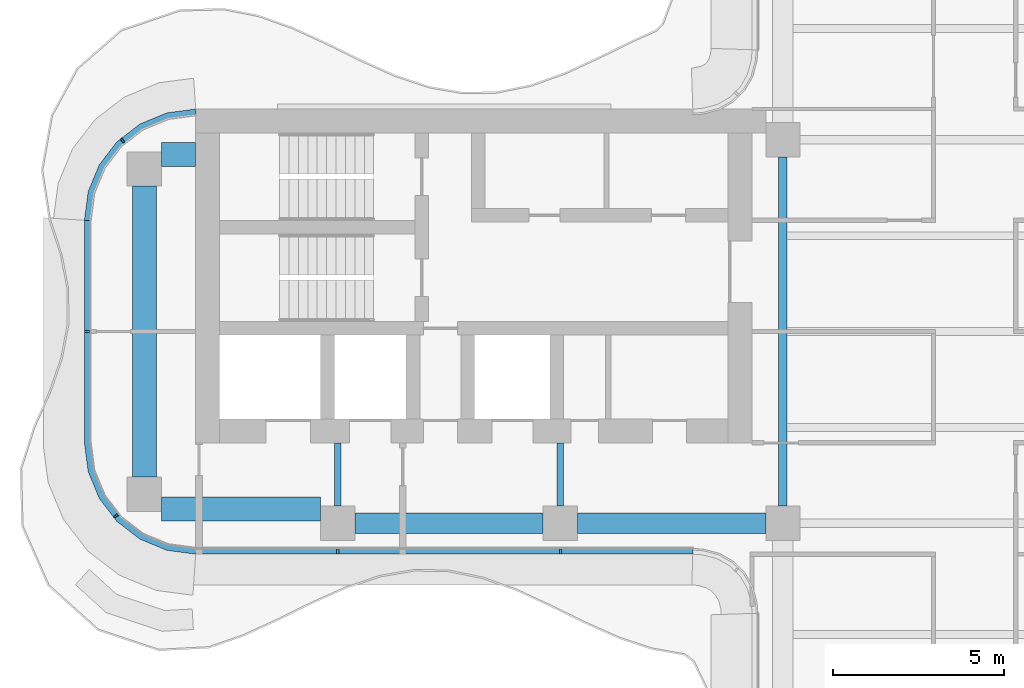
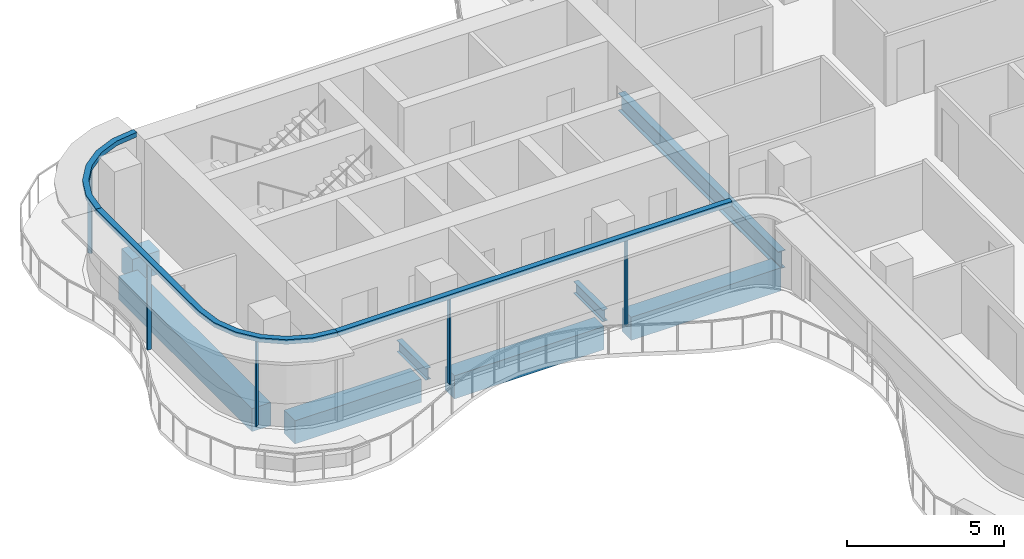
# One storey, part 3 of 15: 8 beams, 8 members, 3 elements without a shape of their own.
"""IFC4 building model written with IfcOpenShell, lengths in metres."""

from ifc_helpers import new_model, si_unit, direction, frame, origin, origin_2d, place, context, subcontext, project, spatial, polyline, rectangle, i_section, outline, extrude, source, transform, mapped, material, layer, layer_set, material_profile, profile_set, type_object, element, aggregate, save


model = new_model("IFC4")

# Units and contexts
model_context = context("Model", 3, precision=1e-05, world=origin(), true_north=direction((0.0, 1.0)))
body_context = subcontext(model_context, "Body", "Model", "MODEL_VIEW")
ifc_project = project(units=[si_unit("LENGTHUNIT", "METRE"), si_unit("AREAUNIT", "SQUARE_METRE"), si_unit("VOLUMEUNIT", "CUBIC_METRE"), si_unit("PLANEANGLEUNIT", "RADIAN"), si_unit("MASSUNIT", "GRAM", prefix="KILO")], contexts=[model_context])

# Site, building, storey
site_placement = place(None, origin())
site = spatial("IfcSite", under=ifc_project, at=site_placement, CompositionType="ELEMENT")
building_placement = place(site_placement, origin())
building = spatial("IfcBuilding", under=site, at=building_placement, Name="Trellis Farm Tower", CompositionType="ELEMENT")
storey_placement = place(building_placement, frame((0.0, 0.0, 326.199951171875)))
storey = spatial("IfcBuildingStorey", under=building, at=storey_placement, Name="L74", CompositionType="ELEMENT", Elevation=326.199951171875)

# Beams
ifc_material_1 = material(Name="Steel S355", Category="steel")
ifc_material_profile_1 = material_profile(ifc_material_1, i_section(OverallWidth=0.253662109375, OverallDepth=0.68359375, WebThickness=0.012451171875, FlangeThickness=0.021728515625, FilletRadius=0.01513671875, at=origin_2d()), Name="UB 686x254x140")
ifc_profile_set_1 = profile_set([ifc_material_profile_1], Name="Steel S355")
beam_type_1 = type_object("IfcBeamType", Name="UB 686x254x140", PredefinedType="BEAM", material=ifc_profile_set_1)
shared_shape_1 = source(origin(), body_context, "Body", "SweptSolid", [
    extrude(i_section(OverallWidth=0.253662109375, OverallDepth=0.68359375, WebThickness=0.012451171875, FlangeThickness=0.021728515625, FilletRadius=0.01513671875, at=origin_2d()), origin(), (0.0, 0.0, 1.0), 10.2001953125),
])
beam_1_placement = place(storey_placement, frame((-5.60009765625, -5.10009765625, -0.541748046875), z_axis=(0.0, 1.0, 0.0), x_axis=(-1.0, 0.0, 0.0)))
element("IfcBeam", 1, at=beam_1_placement, inside=storey, type_object=beam_type_1, Name="Girder", PredefinedType="BEAM", context=body_context, shape_type="MappedRepresentation", body=[
    mapped(shared_shape_1, transform((0.0, 0.0, 0.0))),
])
ifc_material_profile_2 = material_profile(ifc_material_1, i_section(OverallWidth=0.1904296875, OverallDepth=0.45703125, WebThickness=0.009033203125, FlangeThickness=0.014404296875, FilletRadius=0.01025390625, at=origin_2d()), Name="UB 457x191x74")
ifc_profile_set_2 = profile_set([ifc_material_profile_2], Name="Steel S355")
beam_type_2 = type_object("IfcBeamType", Name="UB 457x191x74", PredefinedType="BEAM", material=ifc_profile_set_2)
shared_shape_2 = source(origin(), body_context, "Body", "SweptSolid", [
    extrude(i_section(OverallWidth=0.1904296875, OverallDepth=0.45703125, WebThickness=0.009033203125, FlangeThickness=0.014404296875, FilletRadius=0.01025390625, at=origin_2d()), origin(), (0.0, 0.0, 1.0), 1.85009765625),
])
for number, where, z_axis, x_axis, name in (
    (2, (-18.60009765625, -5.10009765625, -0.428466796875), (0.0, 1.0, 0.0), (-1.0, 0.0, 0.0), "Girder"),
    (3, (-12.10009765625, -5.10009765625, -0.428466796875), (0.0, 1.0, 0.0), (-1.0, 0.0, 0.0), "Girder"),
):
    element("IfcBeam", number, at=place(storey_placement, frame(where, z_axis=z_axis, x_axis=x_axis)), inside=storey, type_object=beam_type_2, Name=name, PredefinedType="BEAM", context=body_context, shape_type="MappedRepresentation", body=[
        mapped(shared_shape_2, transform((0.0, 0.0, 0.0))),
    ])
ifc_material_2 = material(Name="Concrete C60/75", Category="concrete")
ifc_material_profile_3 = material_profile(ifc_material_2, rectangle(XDim=0.60009765625, YDim=0.89990234375, at=origin_2d()), Name="RC spandrel beam 600x900 C60/75")
ifc_profile_set_3 = profile_set([ifc_material_profile_3], Name="Concrete C60/75")
beam_type_3 = type_object("IfcBeamType", Name="RC spandrel beam 600x900 C60/75", PredefinedType="SPANDREL", material=ifc_profile_set_3)
shared_shape_3 = source(origin(), body_context, "Body", "SweptSolid", [
    extrude(rectangle(XDim=0.60009765625, YDim=0.89990234375, at=origin_2d()), origin(), (0.0, 0.0, 1.0), 5.5),
])
for number, where, z_axis, x_axis, name in (
    (4, (-18.10009765625, -5.60009765625, -0.64990234375), (1.0, 0.0, 0.0), (0.0, 1.0, 0.0), "Girder"),
    (5, (-11.60009765625, -5.60009765625, -0.64990234375), (1.0, 0.0, 0.0), (0.0, 1.0, 0.0), "Girder"),
):
    element("IfcBeam", number, at=place(storey_placement, frame(where, z_axis=z_axis, x_axis=x_axis)), inside=storey, type_object=beam_type_3, Name=name, PredefinedType="SPANDREL", context=body_context, shape_type="MappedRepresentation", body=[
        mapped(shared_shape_3, transform((0.0, 0.0, 0.0))),
    ])
ifc_material_profile_4 = material_profile(ifc_material_2, rectangle(XDim=0.699951171875, YDim=0.89990234375, at=origin_2d()), Name="RC spandrel beam 700x900 C60/75")
ifc_profile_set_4 = profile_set([ifc_material_profile_4], Name="Concrete C60/75")
beam_type_4 = type_object("IfcBeamType", Name="RC spandrel beam 700x900 C60/75", PredefinedType="SPANDREL", material=ifc_profile_set_4)
shared_shape_4 = source(origin(), body_context, "Body", "SweptSolid", [
    extrude(rectangle(XDim=0.699951171875, YDim=0.89990234375, at=origin_2d()), origin(), (0.0, 0.0, 1.0), 1.0),
])
beam_2_placement = place(storey_placement, frame((-23.75, 5.175048828125, -0.64990234375), z_axis=(1.0, 0.0, 0.0), x_axis=(0.0, 1.0, 0.0)))
element("IfcBeam", 6, at=beam_2_placement, inside=storey, type_object=beam_type_4, Name="Girder", PredefinedType="SPANDREL", context=body_context, shape_type="MappedRepresentation", body=[
    mapped(shared_shape_4, transform((0.0, 0.0, 0.0))),
])
shared_shape_5 = source(origin(), body_context, "Body", "SweptSolid", [
    extrude(rectangle(XDim=0.699951171875, YDim=0.89990234375, at=origin_2d()), origin(), (0.0, 0.0, 1.0), 4.64990234375),
])
beam_3_placement = place(storey_placement, frame((-23.75, -5.175048828125, -0.64990234375), z_axis=(1.0, 0.0, 0.0), x_axis=(0.0, 1.0, 0.0)))
element("IfcBeam", 7, at=beam_3_placement, inside=storey, type_object=beam_type_4, Name="Girder", PredefinedType="SPANDREL", context=body_context, shape_type="MappedRepresentation", body=[
    mapped(shared_shape_5, transform((0.0, 0.0, 0.0))),
])
shared_shape_6 = source(origin(), body_context, "Body", "SweptSolid", [
    extrude(rectangle(XDim=0.699951171875, YDim=0.89990234375, at=origin_2d()), origin(), (0.0, 0.0, 1.0), 8.5),
])
beam_4_placement = place(storey_placement, frame((-24.25, -4.25, -0.64990234375), z_axis=(0.0, 1.0, 0.0), x_axis=(-1.0, 0.0, 0.0)))
element("IfcBeam", 8, at=beam_4_placement, inside=storey, type_object=beam_type_4, Name="Girder", PredefinedType="SPANDREL", context=body_context, shape_type="MappedRepresentation", body=[
    mapped(shared_shape_6, transform((0.0, 0.0, 0.0))),
])

# Curtain wall, member
ifc_material_3 = material(Name="Aluminium and glass curtain wall", Category="aluminium")
ifc_layer_1 = layer(ifc_material_3, 0.18994140625)
ifc_layer_set_1 = layer_set([ifc_layer_1], Name="RIBBON CURTAIN WALL CW1")
curtain_wall_type = type_object("IfcCurtainWallType", Name="RIBBON CURTAIN WALL CW1", PredefinedType="NOTDEFINED", material=ifc_layer_set_1)
placement_1 = place(storey_placement, origin())
curtain_wall_1 = element("IfcCurtainWall", 9, at=placement_1, inside=storey, type_object=curtain_wall_type, Name="CW1 001", PredefinedType="NOTDEFINED")
ifc_material_4 = material(Name="Aluminium extrusion 6063-T6", Category="aluminium")
ifc_layer_2 = layer(ifc_material_4, 0.199951171875)
ifc_layer_set_2 = layer_set([ifc_layer_2], Name="Aluminium extrusion 6063-T6")
member_type_1 = type_object("IfcMemberType", Name="CW1 TRANSOM 200x180", PredefinedType="USERDEFINED", material=ifc_layer_set_2)
shared_shape_7 = source(origin(), body_context, "Body", "SweptSolid", [
    extrude(outline(polyline([(-22.75, -6.5), (-8.2314453125, -6.5), (-8.224853515625, -6.300048828125), (-22.73681640625, -6.300048828125), (-22.75, -6.5)])), origin(), (0.0, 0.0, 1.0), 0.179931640625),
])
placement_2 = place(storey_placement, frame((0.0, 0.0, 3.320068359375)))
member_1 = element("IfcMember", 10, at=placement_2, type_object=member_type_1, Name="TR1 001", ObjectType="TRANSOM", PredefinedType="USERDEFINED", context=body_context, shape_type="MappedRepresentation", body=[
    mapped(shared_shape_7, transform((0.0, 0.0, 0.0))),
])

curtain_wall_2 = element("IfcCurtainWall", 11, at=placement_1, inside=storey, type_object=curtain_wall_type, Name="CW1 013", PredefinedType="NOTDEFINED")
shared_shape_8 = source(origin(), body_context, "Body", "SweptSolid", [
    extrude(outline(polyline([(-22.75, 6.5), (-23.591064453125, 6.38916015625), (-24.375, 6.064697265625), (-25.048095703125, 5.548095703125), (-25.564697265625, 4.875), (-25.88916015625, 4.091064453125), (-26.0, 3.25), (-25.800048828125, 3.23681640625), (-25.6943359375, 4.0390625), (-25.389892578125, 4.774169921875), (-24.905517578125, 5.405517578125), (-24.274169921875, 5.889892578125), (-23.5390625, 6.1943359375), (-22.73681640625, 6.300048828125), (-22.75, 6.5)])), origin(), (0.0, 0.0, 1.0), 0.179931640625),
])
member_2 = element("IfcMember", 12, at=placement_2, type_object=member_type_1, Name="TR1 013", ObjectType="TRANSOM", PredefinedType="USERDEFINED", context=body_context, shape_type="MappedRepresentation", body=[
    mapped(shared_shape_8, transform((0.0, 0.0, 0.0))),
])

curtain_wall_3 = element("IfcCurtainWall", 13, at=placement_1, inside=storey, type_object=curtain_wall_type, Name="CW1 014", PredefinedType="NOTDEFINED")
shared_shape_9 = source(origin(), body_context, "Body", "SweptSolid", [
    extrude(outline(polyline([(-26.0, 3.25), (-26.0, -3.25), (-25.88916015625, -4.091064453125), (-25.564697265625, -4.875), (-25.048095703125, -5.548095703125), (-24.375, -6.064697265625), (-23.591064453125, -6.38916015625), (-22.75, -6.5), (-22.73681640625, -6.300048828125), (-23.5390625, -6.1943359375), (-24.274169921875, -5.889892578125), (-24.905517578125, -5.405517578125), (-25.389892578125, -4.774169921875), (-25.6943359375, -4.0390625), (-25.800048828125, -3.23681640625), (-25.800048828125, 3.23681640625), (-26.0, 3.25)])), origin(), (0.0, 0.0, 1.0), 0.179931640625),
])
member_3 = element("IfcMember", 14, at=placement_2, type_object=member_type_1, Name="TR1 014", ObjectType="TRANSOM", PredefinedType="USERDEFINED", context=body_context, shape_type="MappedRepresentation", body=[
    mapped(shared_shape_9, transform((0.0, 0.0, 0.0))),
])

# Member
ifc_material_profile_5 = material_profile(ifc_material_4, rectangle(XDim=0.06005859375, YDim=0.14990234375, at=origin_2d()), Name="MULLION 60x150")
ifc_profile_set_5 = profile_set([ifc_material_profile_5], Name="Aluminium extrusion 6063-T6")
member_type_2 = type_object("IfcMemberType", Name="CW1 MULLION 60x150", PredefinedType="MULLION", material=ifc_profile_set_5)
shared_shape_10 = source(origin(), body_context, "Body", "SweptSolid", [
    extrude(rectangle(XDim=0.06005859375, YDim=0.14990234375, at=origin_2d()), origin(), (0.0, 0.0, 1.0), 3.320068359375),
])
member_4_placement = place(storey_placement, frame((-18.60009765625, -6.425048828125, 0.0), z_axis=(0.0, 0.0, 1.0), x_axis=(1.0, 0.0, 0.0)))
member_4 = element("IfcMember", 15, at=member_4_placement, type_object=member_type_2, Name="MU1 001-01", PredefinedType="MULLION", context=body_context, shape_type="MappedRepresentation", body=[
    mapped(shared_shape_10, transform((0.0, 0.0, 0.0))),
])

member_5_placement = place(storey_placement, frame((-12.10009765625, -6.425048828125, 0.0), z_axis=(0.0, 0.0, 1.0), x_axis=(1.0, 0.0, 0.0)))
member_5 = element("IfcMember", 16, at=member_5_placement, type_object=member_type_2, Name="MU1 001-02", PredefinedType="MULLION", context=body_context, shape_type="MappedRepresentation", body=[
    mapped(shared_shape_10, transform((0.0, 0.0, 0.0))),
])

aggregate(curtain_wall_1, [member_4, member_5, member_1])

member_6_placement = place(storey_placement, frame((-24.885498046875, 5.578369140625, 0.0), z_axis=(0.0, 0.0, 1.0), x_axis=(-0.793353340291, -0.608761429009, 0.0)))
member_6 = element("IfcMember", 17, at=member_6_placement, type_object=member_type_2, Name="MU1 013-01", PredefinedType="MULLION", context=body_context, shape_type="MappedRepresentation", body=[
    mapped(shared_shape_10, transform((0.0, 0.0, 0.0))),
])

aggregate(curtain_wall_2, [member_6, member_2])

member_7_placement = place(storey_placement, frame((-25.925048828125, 0.0, 0.0), z_axis=(0.0, 0.0, 1.0), x_axis=(0.0, -1.0, 0.0)))
member_7 = element("IfcMember", 18, at=member_7_placement, type_object=member_type_2, Name="MU1 014-01", PredefinedType="MULLION", context=body_context, shape_type="MappedRepresentation", body=[
    mapped(shared_shape_10, transform((0.0, 0.0, 0.0))),
])

member_8_placement = place(storey_placement, frame((-25.078369140625, -5.385498046875, 0.0), z_axis=(0.0, 0.0, 1.0), x_axis=(0.608761429009, -0.793353340291, 0.0)))
member_8 = element("IfcMember", 19, at=member_8_placement, type_object=member_type_2, Name="MU1 014-02", PredefinedType="MULLION", context=body_context, shape_type="MappedRepresentation", body=[
    mapped(shared_shape_10, transform((0.0, 0.0, 0.0))),
])

aggregate(curtain_wall_3, [member_7, member_8, member_3])

save(model, "model.ifc")
